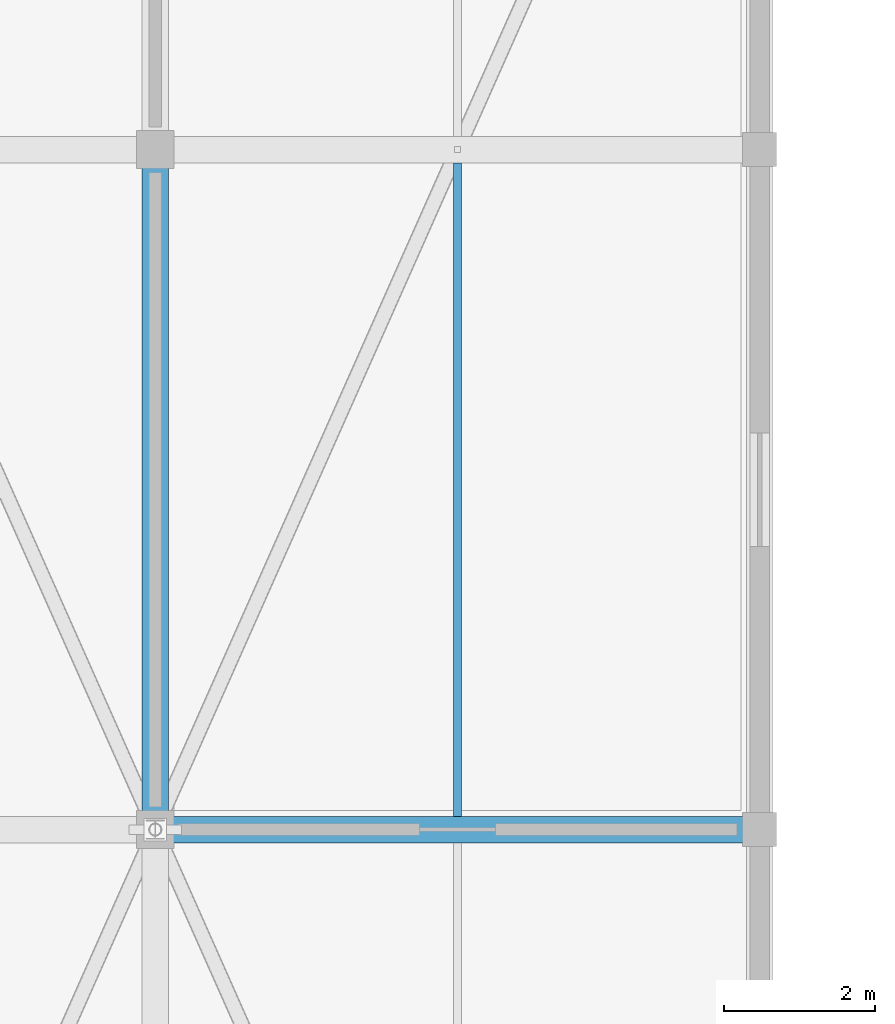
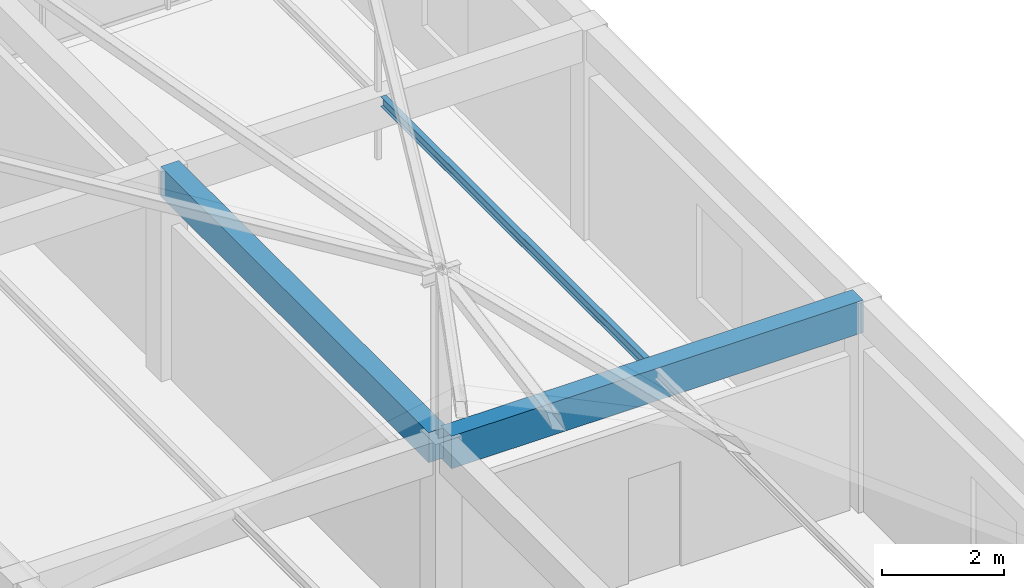
# One storey, part 41 of 65: 3 beams.
"""IFC4 building model written with IfcOpenShell, lengths in metres."""

from ifc_helpers import new_model, si_unit, direction, frame, origin, origin_2d, place, context, subcontext, project, spatial, rectangle, i_section, extrude, material, material_profile, profile_set, type_object, element, save


model = new_model("IFC4")

# Units and contexts
model_context = context("Model", 3, precision=1e-05, world=origin(), true_north=direction((0.0, 1.0)))
body_context = subcontext(model_context, "Body", "Model", "MODEL_VIEW")
ifc_project = project(units=[si_unit("LENGTHUNIT", "METRE"), si_unit("AREAUNIT", "SQUARE_METRE"), si_unit("VOLUMEUNIT", "CUBIC_METRE"), si_unit("PLANEANGLEUNIT", "RADIAN"), si_unit("MASSUNIT", "GRAM", prefix="KILO")], contexts=[model_context])

# Site, building, storey
site_placement = place(None, origin())
site = spatial("IfcSite", under=ifc_project, at=site_placement, CompositionType="ELEMENT")
building_placement = place(site_placement, origin())
building = spatial("IfcBuilding", under=site, at=building_placement, Name="Varnabhumi Central Station", CompositionType="ELEMENT")
storey_placement = place(building_placement, frame((0.0, 0.0, 24.60009765625)))
storey = spatial("IfcBuildingStorey", under=building, at=storey_placement, Name="L05", CompositionType="ELEMENT", Elevation=24.60009765625)

# Beams
ifc_material_1 = material(Name="Concrete M40", Category="concrete")
ifc_material_profile_1 = material_profile(ifc_material_1, rectangle(XDim=0.35009765625, YDim=0.60009765625, at=origin_2d()), Name="Concrete M40", Category="concrete")
ifc_profile_set_1 = profile_set([ifc_material_profile_1], Name="Concrete M40")
beam_type_1 = type_object("IfcBeamType", Name="BM-RC-350x600", PredefinedType="BEAM", material=ifc_profile_set_1)
beam_1_placement = place(storey_placement, frame((152.0, 18.10009765625, 3.89990234375), z_axis=(0.0, 1.0, 0.0), x_axis=(-1.0, 0.0, 0.0)))
element("IfcBeam", 1, at=beam_1_placement, inside=storey, type_object=beam_type_1, Name="Beam L05-20:C-D", PredefinedType="BEAM", context=body_context, shape_type="SweptSolid", body=[
    extrude(rectangle(XDim=0.35009765625, YDim=0.60009765625, at=origin_2d()), origin(), (0.0, 0.0, 1.0), 8.7998046875),
])
ifc_material_profile_2 = material_profile(ifc_material_1, rectangle(XDim=0.35009765625, YDim=0.64990234375, at=origin_2d()), Name="Concrete M40", Category="concrete")
ifc_profile_set_2 = profile_set([ifc_material_profile_2], Name="Concrete M40")
beam_type_2 = type_object("IfcBeamType", Name="BM-RC-350x650", PredefinedType="BEAM", material=ifc_profile_set_2)
beam_2_placement = place(storey_placement, frame((152.10009765625, 18.0, 3.875), z_axis=(1.0, 0.0, 0.0), x_axis=(0.0, 1.0, 0.0)))
element("IfcBeam", 2, at=beam_2_placement, inside=storey, type_object=beam_type_2, Name="Beam L05-C:20-21", PredefinedType="BEAM", context=body_context, shape_type="SweptSolid", body=[
    extrude(rectangle(XDim=0.35009765625, YDim=0.64990234375, at=origin_2d()), origin(), (0.0, 0.0, 1.0), 7.7998046875),
])
ifc_material_2 = material(Name="Structural steel E350", Category="steel")
ifc_material_profile_3 = material_profile(ifc_material_2, i_section(OverallWidth=0.10009765625, OverallDepth=0.199951171875, WebThickness=0.005615234375, FlangeThickness=0.0107421875, FilletRadius=0.010986328125, at=origin_2d()), Name="Structural steel E350", Category="steel")
ifc_profile_set_3 = profile_set([ifc_material_profile_3], Name="Structural steel E350")
beam_type_3 = type_object("IfcBeamType", Name="BM-STL-ISMB200", PredefinedType="JOIST", material=ifc_profile_set_3)
beam_3_placement = place(storey_placement, frame((156.0, 18.175048828125, 4.099853515625), z_axis=(0.0, 1.0, 0.0), x_axis=(-1.0, 0.0, 0.0)))
element("IfcBeam", 3, at=beam_3_placement, inside=storey, type_object=beam_type_3, Name="Secondary Joist L05-20/21:C-D", PredefinedType="JOIST", context=body_context, shape_type="SweptSolid", body=[
    extrude(i_section(OverallWidth=0.10009765625, OverallDepth=0.199951171875, WebThickness=0.005615234375, FlangeThickness=0.0107421875, FilletRadius=0.010986328125, at=origin_2d()), origin(), (0.0, 0.0, 1.0), 8.64990234375),
])

save(model, "model.ifc")
